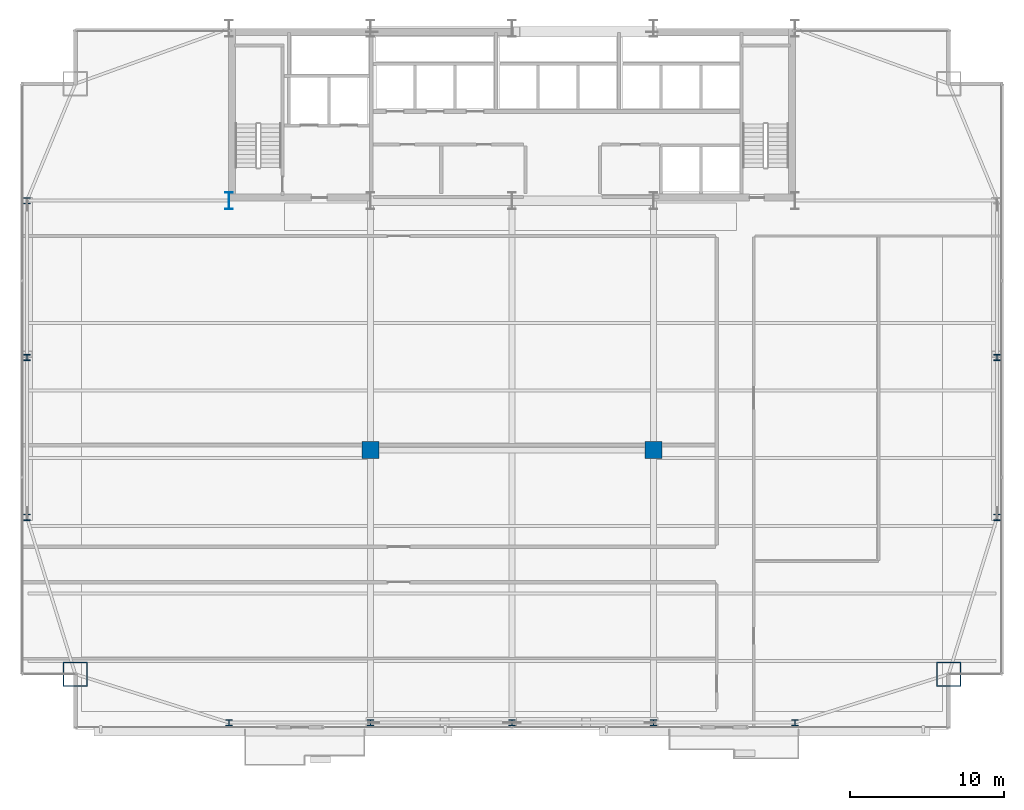
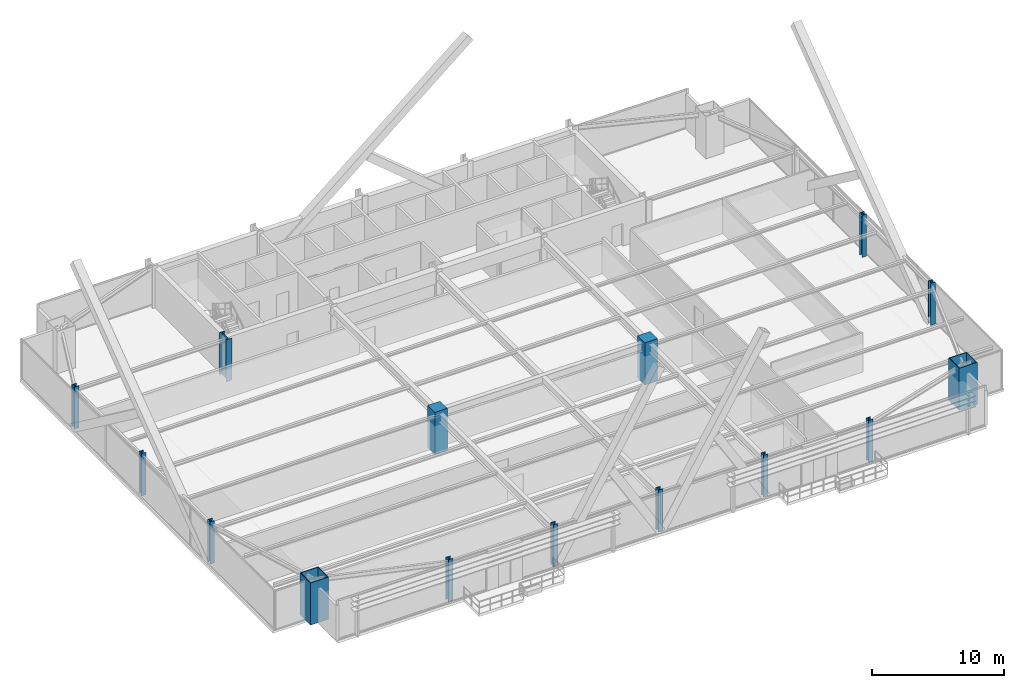
# One storey, part 1 of 32: 15 columns.
"""IFC4 building model written with IfcOpenShell, lengths in metres."""

from ifc_helpers import new_model, si_unit, direction, frame, origin, origin_2d, place, context, subcontext, project, spatial, rectangle, hollow_rectangle, i_section, extrude, source, transform, mapped, material, material_profile, profile_set, type_object, type_shapes, element, save


model = new_model("IFC4")

# Units and contexts
model_context = context("Model", 3, precision=1e-05, world=origin(), true_north=direction((0.0, 1.0)))
body_context = subcontext(model_context, "Body", "Model", "MODEL_VIEW")
ifc_project = project(units=[si_unit("LENGTHUNIT", "METRE"), si_unit("AREAUNIT", "SQUARE_METRE"), si_unit("VOLUMEUNIT", "CUBIC_METRE"), si_unit("PLANEANGLEUNIT", "RADIAN"), si_unit("MASSUNIT", "GRAM", prefix="KILO")], contexts=[model_context])

# Site, building, storey
site_placement = place(None, origin())
site = spatial("IfcSite", under=ifc_project, at=site_placement, CompositionType="ELEMENT")
building_placement = place(site_placement, origin())
building = spatial("IfcBuilding", under=site, at=building_placement, Name="Varnel Quay Broadcast Tower", CompositionType="ELEMENT")
storey_placement = place(building_placement, frame((0.0, 0.0, 43.199951171875)))
storey = spatial("IfcBuildingStorey", under=building, at=storey_placement, Name="L09", CompositionType="ELEMENT", Elevation=43.199951171875)

# Columns
ifc_material_1 = material(Name="Structural Steel CSA G40.21 350WT", Category="steel")
ifc_material_profile_1 = material_profile(ifc_material_1, i_section(OverallWidth=0.5, OverallDepth=1.10009765625, WebThickness=0.01806640625, FlangeThickness=0.031982421875, FilletRadius=0.01806640625, at=origin_2d()), Name="WWF1100X418")
ifc_profile_set_1 = profile_set([ifc_material_profile_1], Name="Structural Steel CSA G40.21 350WT")
column_type_1 = type_object("IfcColumnType", Name="Col_WWF1100X418", PredefinedType="COLUMN", material=ifc_profile_set_1)
shared_shape_1 = source(origin(), body_context, "Body", "SweptSolid", [
    extrude(i_section(OverallWidth=0.5, OverallDepth=1.10009765625, WebThickness=0.01806640625, FlangeThickness=0.031982421875, FilletRadius=0.01806640625, at=origin_2d()), origin(), (0.0, 0.0, 1.0), 3.900146484375),
])
type_shapes(column_type_1, [shared_shape_1])
column_placement = place(storey_placement, frame((15.60009765625, 35.60009765625, 0.0), z_axis=(0.0, 0.0, 1.0), x_axis=(1.0, 0.0, 0.0)))
element("IfcColumn", 1, at=column_placement, inside=storey, type_object=column_type_1, Name="L09 Column CC-S1", PredefinedType="COLUMN", context=body_context, shape_type="MappedRepresentation", body=[
    mapped(shared_shape_1, transform((0.0, 0.0, 0.0), x_axis=(1.0, 0.0, 0.0), y_axis=(0.0, 1.0, 0.0), z_axis=(0.0, 0.0, 1.0), scale=1.0)),
])
ifc_material_profile_2 = material_profile(ifc_material_1, hollow_rectangle(XDim=1.60009765625, YDim=1.60009765625, WallThickness=0.06005859375, at=origin_2d()), Name="BOX1600X1600X60")
ifc_profile_set_2 = profile_set([ifc_material_profile_2], Name="Structural Steel CSA G40.21 350WT")
column_type_2 = type_object("IfcColumnType", Name="Col_BOX1600X1600X60", PredefinedType="COLUMN", material=ifc_profile_set_2)
shared_shape_2 = source(origin(), body_context, "Body", "SweptSolid", [
    extrude(hollow_rectangle(XDim=1.60009765625, YDim=1.60009765625, WallThickness=0.06005859375, at=origin_2d()), origin(), (0.0, 0.0, 1.0), 3.900146484375),
])
type_shapes(column_type_2, [shared_shape_2])
for number, where, z_axis, x_axis, name in (
    (2, (5.60009765625, 4.800048828125, 0.0), (0.0, 0.0, 1.0), (1.0, 0.0, 0.0), "L09 Column MC-SW"),
    (3, (62.39990234375, 4.800048828125, 0.0), (0.0, 0.0, 1.0), (1.0, 0.0, 0.0), "L09 Column MC-SE"),
):
    element("IfcColumn", number, at=place(storey_placement, frame(where, z_axis=z_axis, x_axis=x_axis)), inside=storey, type_object=column_type_2, Name=name, PredefinedType="COLUMN", context=body_context, shape_type="MappedRepresentation", body=[
        mapped(shared_shape_2, transform((0.0, 0.0, 0.0), x_axis=(1.0, 0.0, 0.0), y_axis=(0.0, 1.0, 0.0), z_axis=(0.0, 0.0, 1.0), scale=1.0)),
    ])
ifc_material_2 = material(Name="Structural Steel CSA G40.21 350W", Category="steel")
ifc_material_profile_3 = material_profile(ifc_material_2, i_section(OverallWidth=0.404052734375, OverallDepth=0.406982421875, WebThickness=0.027099609375, FlangeThickness=0.043701171875, FilletRadius=0.01806640625, at=origin_2d()), Name="W360X347")
ifc_profile_set_3 = profile_set([ifc_material_profile_3], Name="Structural Steel CSA G40.21 350W")
column_type_3 = type_object("IfcColumnType", Name="Col_W360X347", PredefinedType="COLUMN", material=ifc_profile_set_3)
shared_shape_3 = source(origin(), body_context, "Body", "SweptSolid", [
    extrude(i_section(OverallWidth=0.404052734375, OverallDepth=0.406982421875, WebThickness=0.027099609375, FlangeThickness=0.043701171875, FilletRadius=0.01806640625, at=origin_2d()), origin(), (0.0, 0.0, 1.0), 3.900146484375),
])
type_shapes(column_type_3, [shared_shape_3])
for number, where, z_axis, x_axis, name in (
    (4, (15.60009765625, 1.64990234375, 0.0), (0.0, 0.0, 1.0), (1.0, 0.0, 0.0), "L09 Column TC-S1"),
    (5, (24.800048828125, 1.64990234375, 0.0), (0.0, 0.0, 1.0), (1.0, 0.0, 0.0), "L09 Column TC-S2"),
    (6, (34.0, 1.64990234375, 0.0), (0.0, 0.0, 1.0), (1.0, 0.0, 0.0), "L09 Column TC-S3"),
    (7, (43.199951171875, 1.64990234375, 0.0), (0.0, 0.0, 1.0), (1.0, 0.0, 0.0), "L09 Column TC-S4"),
    (8, (52.39990234375, 1.64990234375, 0.0), (0.0, 0.0, 1.0), (1.0, 0.0, 0.0), "L09 Column TC-S5"),
    (9, (2.449951171875, 15.0, 0.0), (0.0, 0.0, 1.0), (1.0, 0.0, 0.0), "L09 Column TC-W1"),
    (10, (65.550048828125, 15.0, 0.0), (0.0, 0.0, 1.0), (1.0, 0.0, 0.0), "L09 Column TC-E1"),
    (11, (2.449951171875, 25.39990234375, 0.0), (0.0, 0.0, 1.0), (1.0, 0.0, 0.0), "L09 Column TC-W2"),
    (12, (65.550048828125, 25.39990234375, 0.0), (0.0, 0.0, 1.0), (1.0, 0.0, 0.0), "L09 Column TC-E2"),
    (13, (2.449951171875, 35.60009765625, 0.0), (0.0, 0.0, 1.0), (1.0, 0.0, 0.0), "L09 Column TC-W3"),
):
    element("IfcColumn", number, at=place(storey_placement, frame(where, z_axis=z_axis, x_axis=x_axis)), inside=storey, type_object=column_type_3, Name=name, PredefinedType="COLUMN", context=body_context, shape_type="MappedRepresentation", body=[
        mapped(shared_shape_3, transform((0.0, 0.0, 0.0), x_axis=(1.0, 0.0, 0.0), y_axis=(0.0, 1.0, 0.0), z_axis=(0.0, 0.0, 1.0), scale=1.0)),
    ])
ifc_material_3 = material(Name="Concrete CSA A23.3 C60/75", Category="concrete")
ifc_material_profile_4 = material_profile(ifc_material_3, rectangle(XDim=1.10009765625, YDim=1.10009765625, at=origin_2d()), Name="RC1100X1100")
ifc_profile_set_4 = profile_set([ifc_material_profile_4], Name="Concrete CSA A23.3 C60/75")
column_type_4 = type_object("IfcColumnType", Name="Col_RC1100X1100", PredefinedType="COLUMN", material=ifc_profile_set_4)
shared_shape_4 = source(origin(), body_context, "Body", "SweptSolid", [
    extrude(rectangle(XDim=1.10009765625, YDim=1.10009765625, at=origin_2d()), origin(), (0.0, 0.0, 1.0), 3.900146484375),
])
type_shapes(column_type_4, [shared_shape_4])
for number, where, z_axis, x_axis, name in (
    (14, (24.800048828125, 19.3701171875, 0.0), (0.0, 0.0, 1.0), (1.0, 0.0, 0.0), "L09 Column IC-01"),
    (15, (43.199951171875, 19.3701171875, 0.0), (0.0, 0.0, 1.0), (1.0, 0.0, 0.0), "L09 Column IC-02"),
):
    element("IfcColumn", number, at=place(storey_placement, frame(where, z_axis=z_axis, x_axis=x_axis)), inside=storey, type_object=column_type_4, Name=name, PredefinedType="COLUMN", context=body_context, shape_type="MappedRepresentation", body=[
        mapped(shared_shape_4, transform((0.0, 0.0, 0.0), x_axis=(1.0, 0.0, 0.0), y_axis=(0.0, 1.0, 0.0), z_axis=(0.0, 0.0, 1.0), scale=1.0)),
    ])

save(model, "model.ifc")
